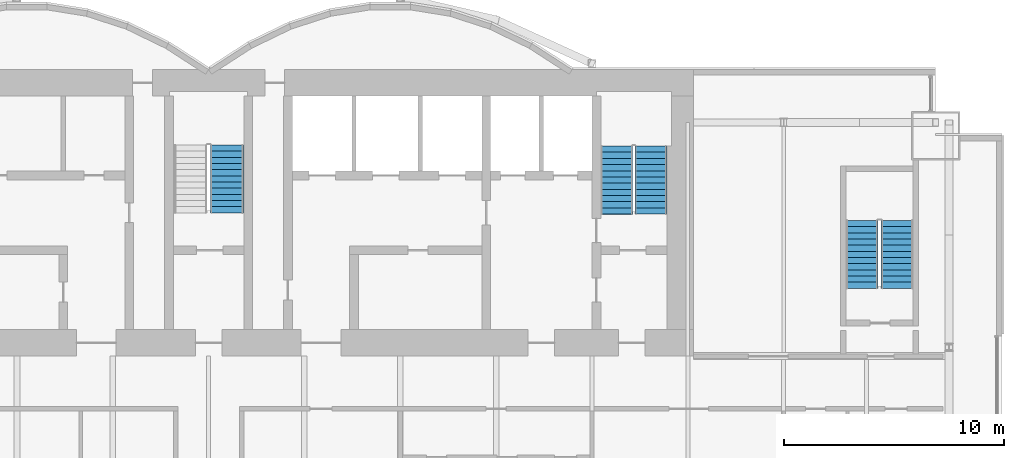
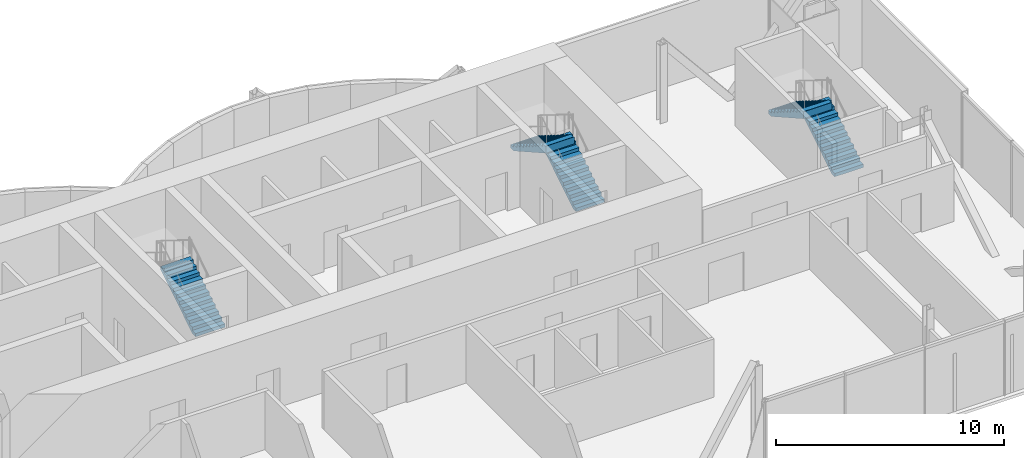
# One storey, part 16 of 19: 5 stair flights, 3 elements without a shape of their own.
"""IFC4 building model written with IfcOpenShell, lengths in metres."""

from ifc_helpers import new_model, si_unit, direction, frame, origin, place, context, subcontext, project, spatial, polyline, outline, extrude, material, type_object, element, aggregate, save


model = new_model("IFC4")

# Units and contexts
model_context = context("Model", 3, precision=1e-05, world=origin(), true_north=direction((0.0, 1.0)))
body_context = subcontext(model_context, "Body", "Model", "MODEL_VIEW")
ifc_project = project(units=[si_unit("LENGTHUNIT", "METRE"), si_unit("AREAUNIT", "SQUARE_METRE"), si_unit("VOLUMEUNIT", "CUBIC_METRE"), si_unit("PLANEANGLEUNIT", "RADIAN"), si_unit("MASSUNIT", "GRAM", prefix="KILO")], contexts=[model_context])

# Site, building, storey
site_placement = place(None, origin())
site = spatial("IfcSite", under=ifc_project, at=site_placement, CompositionType="ELEMENT")
building_placement = place(site_placement, origin())
building = spatial("IfcBuilding", under=site, at=building_placement, Name="Bicima Exchange Tower", CompositionType="ELEMENT")
storey_placement = place(building_placement, frame((0.0, 0.0, 275.0)))
storey = spatial("IfcBuildingStorey", under=building, at=storey_placement, Name="L62", CompositionType="ELEMENT", Elevation=275.0)

# Stair, stair flights
ifc_material = material(Name="Concrete C50/60", Category="concrete")
stair_type_1 = type_object("IfcStairType", Name="Exit stair", PredefinedType="HALF_TURN_STAIR", material=ifc_material)
stair_1_placement = place(storey_placement, origin())
stair_1 = element("IfcStair", 1, at=stair_1_placement, inside=storey, type_object=stair_type_1, Name="L62 East exit stair", PredefinedType="HALF_TURN_STAIR")
stair_flight_type_1 = type_object("IfcStairFlightType", Name="Stair flight RC", PredefinedType="STRAIGHT", material=ifc_material)
stair_flight_1_placement = place(storey_placement, frame((20.074951171875, -6.550048828125, 0.0), z_axis=(0.0, 0.0, 1.0), x_axis=(0.0, 1.0, 0.0)))
stair_flight_1 = element("IfcStairFlight", 2, at=stair_flight_1_placement, type_object=stair_flight_type_1, Name="ST-E flight 1", NumberOfRisers=12, NumberOfTreads=11, PredefinedType="STRAIGHT", RiserHeight=0.175, TreadLength=0.28, context=body_context, shape_type="SweptSolid", body=[
    extrude(outline(polyline([(0.0, 0.0), (0.0, 0.175048828125), (0.280029296875, 0.175048828125), (0.280029296875, 0.35009765625), (0.56005859375, 0.35009765625), (0.56005859375, 0.52490234375), (0.840087890625, 0.52490234375), (0.840087890625, 0.699951171875), (1.1201171875, 0.699951171875), (1.1201171875, 0.875), (1.39990234375, 0.875), (1.39990234375, 1.050048828125), (1.679931640625, 1.050048828125), (1.679931640625, 1.22509765625), (1.9599609375, 1.22509765625), (1.9599609375, 1.39990234375), (2.239990234375, 1.39990234375), (2.239990234375, 1.574951171875), (2.52001953125, 1.574951171875), (2.52001953125, 1.75), (2.800048828125, 1.75), (2.800048828125, 1.925048828125), (3.080078125, 1.925048828125), (3.080078125, 2.10009765625), (3.080078125, 1.748291015625), (0.28271484375, 0.0), (0.0, 0.0)])), frame((0.0, 0.72509765625, 0.0), z_axis=(0.0, -1.0, 0.0), x_axis=(1.0, 0.0, 0.0)), (0.0, 0.0, 1.0), 1.449951171875),
])
stair_flight_2_placement = place(storey_placement, frame((18.52490234375, -3.469970703125, 2.10009765625), z_axis=(0.0, 0.0, 1.0), x_axis=(0.0, -1.0, 0.0)))
stair_flight_2 = element("IfcStairFlight", 3, at=stair_flight_2_placement, type_object=stair_flight_type_1, Name="ST-E flight 2", NumberOfRisers=12, NumberOfTreads=11, PredefinedType="STRAIGHT", RiserHeight=0.175, TreadLength=0.28, context=body_context, shape_type="SweptSolid", body=[
    extrude(outline(polyline([(0.0, 0.0), (0.0, 0.175048828125), (0.280029296875, 0.175048828125), (0.280029296875, 0.35009765625), (0.56005859375, 0.35009765625), (0.56005859375, 0.52490234375), (0.840087890625, 0.52490234375), (0.840087890625, 0.699951171875), (1.1201171875, 0.699951171875), (1.1201171875, 0.875), (1.39990234375, 0.875), (1.39990234375, 1.050048828125), (1.679931640625, 1.050048828125), (1.679931640625, 1.22509765625), (1.9599609375, 1.22509765625), (1.9599609375, 1.39990234375), (2.239990234375, 1.39990234375), (2.239990234375, 1.574951171875), (2.52001953125, 1.574951171875), (2.52001953125, 1.75), (2.800048828125, 1.75), (2.800048828125, 1.925048828125), (3.080078125, 1.925048828125), (3.080078125, 1.9541015625), (3.094970703125, 1.9541015625), (3.094970703125, 1.58251953125), (0.28271484375, 0.0), (0.0, 0.0)])), frame((0.0, 0.72509765625, 0.0), z_axis=(0.0, -1.0, 0.0), x_axis=(1.0, 0.0, 0.0)), (0.0, 0.0, 1.0), 1.449951171875),
])
aggregate(stair_1, [stair_flight_1, stair_flight_2])

stair_2_placement = place(storey_placement, origin())
stair_2 = element("IfcStair", 4, at=stair_2_placement, inside=storey, type_object=stair_type_1, Name="L62 East end exit stair", PredefinedType="HALF_TURN_STAIR")
stair_flight_3_placement = place(storey_placement, frame((31.25, -9.925048828125, 0.0), z_axis=(0.0, 0.0, 1.0), x_axis=(0.0, 1.0, 0.0)))
stair_flight_3 = element("IfcStairFlight", 5, at=stair_flight_3_placement, type_object=stair_flight_type_1, Name="ST-EE flight 1", NumberOfRisers=12, NumberOfTreads=11, PredefinedType="STRAIGHT", RiserHeight=0.175, TreadLength=0.28, context=body_context, shape_type="SweptSolid", body=[
    extrude(outline(polyline([(0.0, 0.0), (0.0, 0.175048828125), (0.280029296875, 0.175048828125), (0.280029296875, 0.35009765625), (0.56005859375, 0.35009765625), (0.56005859375, 0.52490234375), (0.840087890625, 0.52490234375), (0.840087890625, 0.699951171875), (1.1201171875, 0.699951171875), (1.1201171875, 0.875), (1.39990234375, 0.875), (1.39990234375, 1.050048828125), (1.679931640625, 1.050048828125), (1.679931640625, 1.22509765625), (1.9599609375, 1.22509765625), (1.9599609375, 1.39990234375), (2.239990234375, 1.39990234375), (2.239990234375, 1.574951171875), (2.52001953125, 1.574951171875), (2.52001953125, 1.75), (2.800048828125, 1.75), (2.800048828125, 1.925048828125), (3.080078125, 1.925048828125), (3.080078125, 2.10009765625), (3.080078125, 1.748291015625), (0.28271484375, 0.0), (0.0, 0.0)])), frame((0.0, 0.72509765625, 0.0), z_axis=(0.0, -1.0, 0.0), x_axis=(1.0, 0.0, 0.0)), (0.0, 0.0, 1.0), 1.449951171875),
])
stair_flight_4_placement = place(storey_placement, frame((29.64990234375, -6.844970703125, 2.10009765625), z_axis=(0.0, 0.0, 1.0), x_axis=(0.0, -1.0, 0.0)))
stair_flight_4 = element("IfcStairFlight", 6, at=stair_flight_4_placement, type_object=stair_flight_type_1, Name="ST-EE flight 2", NumberOfRisers=12, NumberOfTreads=11, PredefinedType="STRAIGHT", RiserHeight=0.175, TreadLength=0.28, context=body_context, shape_type="SweptSolid", body=[
    extrude(outline(polyline([(0.0, 0.0), (0.0, 0.175048828125), (0.280029296875, 0.175048828125), (0.280029296875, 0.35009765625), (0.56005859375, 0.35009765625), (0.56005859375, 0.52490234375), (0.840087890625, 0.52490234375), (0.840087890625, 0.699951171875), (1.1201171875, 0.699951171875), (1.1201171875, 0.875), (1.39990234375, 0.875), (1.39990234375, 1.050048828125), (1.679931640625, 1.050048828125), (1.679931640625, 1.22509765625), (1.9599609375, 1.22509765625), (1.9599609375, 1.39990234375), (2.239990234375, 1.39990234375), (2.239990234375, 1.574951171875), (2.52001953125, 1.574951171875), (2.52001953125, 1.75), (2.800048828125, 1.75), (2.800048828125, 1.925048828125), (3.080078125, 1.925048828125), (3.080078125, 1.9541015625), (3.094970703125, 1.9541015625), (3.094970703125, 1.58251953125), (0.28271484375, 0.0), (0.0, 0.0)])), frame((0.0, 0.72509765625, 0.0), z_axis=(0.0, -1.0, 0.0), x_axis=(1.0, 0.0, 0.0)), (0.0, 0.0, 1.0), 1.449951171875),
])
aggregate(stair_2, [stair_flight_3, stair_flight_4])

# Stair, stair flight
stair_type_2 = type_object("IfcStairType", Name="Exit stair 1500", PredefinedType="HALF_TURN_STAIR", material=ifc_material)
stair_3_placement = place(storey_placement, origin())
stair_3 = element("IfcStair", 7, at=stair_3_placement, inside=storey, type_object=stair_type_2, Name="L62 Central exit stair", PredefinedType="HALF_TURN_STAIR")
stair_flight_type_2 = type_object("IfcStairFlightType", Name="Stair flight RC 1500", PredefinedType="STRAIGHT", material=ifc_material)
stair_flight_5_placement = place(storey_placement, frame((0.824951171875, -6.5, 0.0), z_axis=(0.0, 0.0, 1.0), x_axis=(0.0, 1.0, 0.0)))
stair_flight_5 = element("IfcStairFlight", 8, at=stair_flight_5_placement, type_object=stair_flight_type_2, Name="ST-C flight 1", NumberOfRisers=12, NumberOfTreads=11, PredefinedType="STRAIGHT", RiserHeight=0.175, TreadLength=0.28, context=body_context, shape_type="SweptSolid", body=[
    extrude(outline(polyline([(0.0, 0.0), (0.0, 0.175048828125), (0.280029296875, 0.175048828125), (0.280029296875, 0.35009765625), (0.56005859375, 0.35009765625), (0.56005859375, 0.52490234375), (0.840087890625, 0.52490234375), (0.840087890625, 0.699951171875), (1.1201171875, 0.699951171875), (1.1201171875, 0.875), (1.39990234375, 0.875), (1.39990234375, 1.050048828125), (1.679931640625, 1.050048828125), (1.679931640625, 1.22509765625), (1.9599609375, 1.22509765625), (1.9599609375, 1.39990234375), (2.239990234375, 1.39990234375), (2.239990234375, 1.574951171875), (2.52001953125, 1.574951171875), (2.52001953125, 1.75), (2.800048828125, 1.75), (2.800048828125, 1.925048828125), (3.080078125, 1.925048828125), (3.080078125, 2.10009765625), (3.080078125, 1.748291015625), (0.28271484375, 0.0), (0.0, 0.0)])), frame((0.0, 0.75, 0.0), z_axis=(0.0, -1.0, 0.0), x_axis=(1.0, 0.0, 0.0)), (0.0, 0.0, 1.0), 1.5),
])
aggregate(stair_3, [stair_flight_5])

save(model, "model.ifc")
